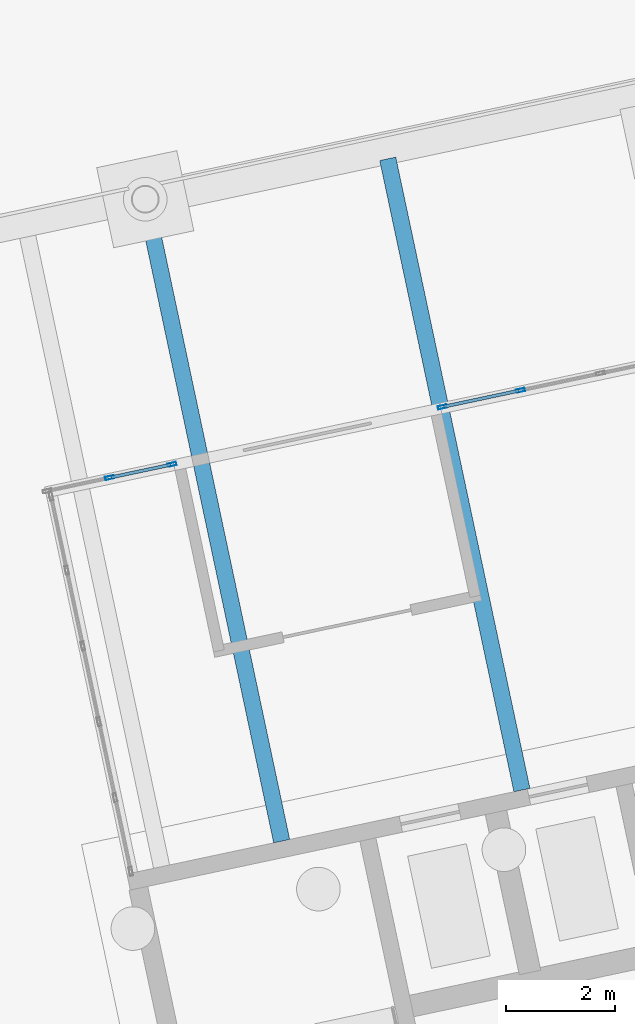
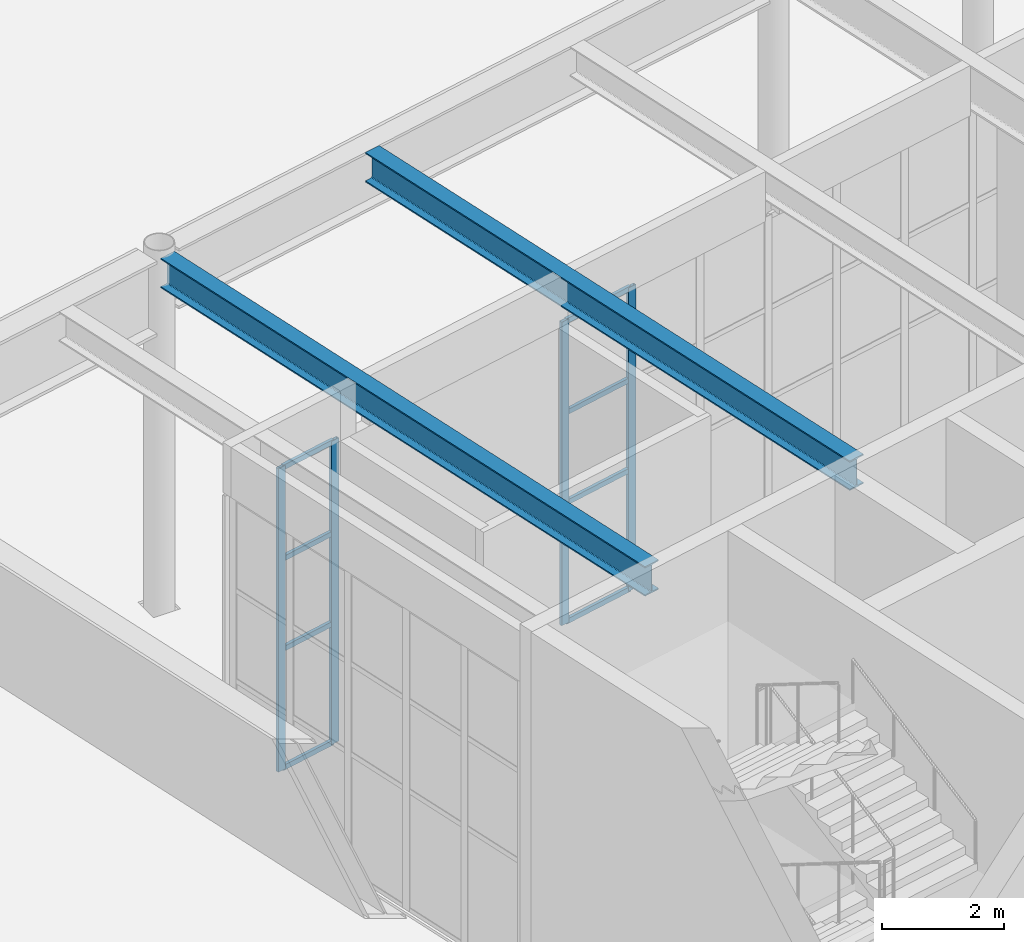
# One storey, part 54 of 239: 12 members, 2 beams, 2 elements without a shape of their own.
"""IFC4 building model written with IfcOpenShell, lengths in metres."""

from ifc_helpers import new_model, si_unit, direction, frame, origin, origin_2d, place, context, subcontext, project, spatial, hollow_rectangle, i_section, extrude, material, material_profile, profile_set, type_object, element, aggregate, save


model = new_model("IFC4")

# Units and contexts
model_context = context("Model", 3, precision=1e-05, world=origin(), true_north=direction((0.0, 1.0)))
body_context = subcontext(model_context, "Body", "Model", "MODEL_VIEW")
ifc_project = project(units=[si_unit("LENGTHUNIT", "METRE"), si_unit("AREAUNIT", "SQUARE_METRE"), si_unit("VOLUMEUNIT", "CUBIC_METRE"), si_unit("PLANEANGLEUNIT", "RADIAN"), si_unit("MASSUNIT", "GRAM", prefix="KILO")], contexts=[model_context])

# Site, building, storey
site_placement = place(None, origin())
site = spatial("IfcSite", under=ifc_project, at=site_placement, CompositionType="ELEMENT")
building_placement = place(site_placement, origin())
building = spatial("IfcBuilding", under=site, at=building_placement, Name="Okhra Congress Centre", CompositionType="ELEMENT")
storey_placement = place(building_placement, origin())
storey = spatial("IfcBuildingStorey", under=building, at=storey_placement, Name="L00", CompositionType="ELEMENT", Elevation=0.0)

# Curtain wall, members
ifc_material_1 = material(Name="Aluminium curtain wall, triple glazing", Category="aluminium")
curtain_wall_type = type_object("IfcCurtainWallType", Name="Curtain wall 1500 module", PredefinedType="NOTDEFINED", material=ifc_material_1)
curtain_wall_1_placement = place(storey_placement, origin())
curtain_wall_1 = element("IfcCurtainWall", 1, at=curtain_wall_1_placement, inside=storey, type_object=curtain_wall_type, Name="Ground curtain wall N6", PredefinedType="NOTDEFINED")
ifc_material_2 = material(Name="Aluminium alloy EN AW-6063 T66", Category="aluminium")
ifc_material_profile_1 = material_profile(ifc_material_2, hollow_rectangle(XDim=0.06005859375, YDim=0.159912109375, WallThickness=0.00390625, at=origin_2d()), Name="RHS 60x160x4")
ifc_profile_set_1 = profile_set([ifc_material_profile_1], Name="Aluminium alloy EN AW-6063 T66")
member_type_1 = type_object("IfcMemberType", Name="Curtain wall mullion 60x160", PredefinedType="MULLION", material=ifc_profile_set_1)
member_1_placement = place(storey_placement, frame((64.1708984375, 47.0537109375, 0.0), z_axis=(0.0, 0.0, 1.0), x_axis=(-0.207911690818, 0.978147600734, 0.0)))
member_1 = element("IfcMember", 2, at=member_1_placement, type_object=member_type_1, Name="CW7 mullion 2", PredefinedType="MULLION", context=body_context, shape_type="SweptSolid", body=[
    extrude(hollow_rectangle(XDim=0.06005859375, YDim=0.159912109375, WallThickness=0.00390625, at=origin_2d()), origin(), (0.0, 0.0, 1.0), 6.050048828125),
])
member_2_placement = place(storey_placement, frame((65.3154296875, 47.296875, 0.0), z_axis=(0.0, 0.0, 1.0), x_axis=(-0.207911690818, 0.978147600734, 0.0)))
member_2 = element("IfcMember", 3, at=member_2_placement, type_object=member_type_1, Name="CW7 mullion 3", PredefinedType="MULLION", context=body_context, shape_type="SweptSolid", body=[
    extrude(hollow_rectangle(XDim=0.06005859375, YDim=0.159912109375, WallThickness=0.00390625, at=origin_2d()), origin(), (0.0, 0.0, 1.0), 6.050048828125),
])

curtain_wall_2_placement = place(storey_placement, origin())
curtain_wall_2 = element("IfcCurtainWall", 4, at=curtain_wall_2_placement, inside=storey, type_object=curtain_wall_type, Name="Ground curtain wall N7", PredefinedType="NOTDEFINED")
member_3_placement = place(storey_placement, frame((70.264892578125, 48.348876953125, 0.0), z_axis=(0.0, 0.0, 1.0), x_axis=(-0.207911690818, 0.978147600734, 0.0)))
member_3 = element("IfcMember", 5, at=member_3_placement, type_object=member_type_1, Name="CW7 mullion 1", PredefinedType="MULLION", context=body_context, shape_type="SweptSolid", body=[
    extrude(hollow_rectangle(XDim=0.06005859375, YDim=0.159912109375, WallThickness=0.00390625, at=origin_2d()), origin(), (0.0, 0.0, 1.0), 6.050048828125),
])
member_4_placement = place(storey_placement, frame((71.70068359375, 48.654052734375, 0.0), z_axis=(0.0, 0.0, 1.0), x_axis=(-0.207911690818, 0.978147600734, 0.0)))
member_4 = element("IfcMember", 6, at=member_4_placement, type_object=member_type_1, Name="CW7 mullion 2", PredefinedType="MULLION", context=body_context, shape_type="SweptSolid", body=[
    extrude(hollow_rectangle(XDim=0.06005859375, YDim=0.159912109375, WallThickness=0.00390625, at=origin_2d()), origin(), (0.0, 0.0, 1.0), 6.050048828125),
])

# Member
ifc_material_profile_2 = material_profile(ifc_material_2, hollow_rectangle(XDim=0.06005859375, YDim=0.10009765625, WallThickness=0.00390625, at=origin_2d()), Name="RHS 60x100x4")
ifc_profile_set_2 = profile_set([ifc_material_profile_2], Name="Aluminium alloy EN AW-6063 T66")
member_type_2 = type_object("IfcMemberType", Name="Curtain wall transom 60x100", PredefinedType="USERDEFINED", material=ifc_profile_set_2)
member_5_placement = place(storey_placement, frame((64.200439453125, 47.059814453125, 0.030029296875), z_axis=(0.978158291891, 0.207861386516, 0.0), x_axis=(-0.207861386516, 0.978158291891, 0.0)))
member_5 = element("IfcMember", 7, at=member_5_placement, type_object=member_type_2, Name="CW7 transom 2.1", ObjectType="TRANSOM", PredefinedType="USERDEFINED", context=body_context, shape_type="SweptSolid", body=[
    extrude(hollow_rectangle(XDim=0.06005859375, YDim=0.10009765625, WallThickness=0.00390625, at=origin_2d()), origin(), (0.0, 0.0, 1.0), 1.10986328125),
])

member_6_placement = place(storey_placement, frame((64.200439453125, 47.059814453125, 2.39990234375), z_axis=(0.978158291891, 0.207861386516, 0.0), x_axis=(-0.207861386516, 0.978158291891, 0.0)))
member_6 = element("IfcMember", 8, at=member_6_placement, type_object=member_type_2, Name="CW7 transom 2.2", ObjectType="TRANSOM", PredefinedType="USERDEFINED", context=body_context, shape_type="SweptSolid", body=[
    extrude(hollow_rectangle(XDim=0.06005859375, YDim=0.10009765625, WallThickness=0.00390625, at=origin_2d()), origin(), (0.0, 0.0, 1.0), 1.10986328125),
])

member_7_placement = place(storey_placement, frame((64.200439453125, 47.059814453125, 4.199951171875), z_axis=(0.978158291891, 0.207861386516, 0.0), x_axis=(-0.207861386516, 0.978158291891, 0.0)))
member_7 = element("IfcMember", 9, at=member_7_placement, type_object=member_type_2, Name="CW7 transom 2.3", ObjectType="TRANSOM", PredefinedType="USERDEFINED", context=body_context, shape_type="SweptSolid", body=[
    extrude(hollow_rectangle(XDim=0.06005859375, YDim=0.10009765625, WallThickness=0.00390625, at=origin_2d()), origin(), (0.0, 0.0, 1.0), 1.10986328125),
])

member_8_placement = place(storey_placement, frame((64.200439453125, 47.059814453125, 6.02001953125), z_axis=(0.978158291891, 0.207861386516, 0.0), x_axis=(-0.207861386516, 0.978158291891, 0.0)))
member_8 = element("IfcMember", 10, at=member_8_placement, type_object=member_type_2, Name="CW7 transom 2.4", ObjectType="TRANSOM", PredefinedType="USERDEFINED", context=body_context, shape_type="SweptSolid", body=[
    extrude(hollow_rectangle(XDim=0.06005859375, YDim=0.10009765625, WallThickness=0.00390625, at=origin_2d()), origin(), (0.0, 0.0, 1.0), 1.10986328125),
])

aggregate(curtain_wall_1, [member_1, member_2, member_5, member_6, member_7, member_8])

member_9_placement = place(storey_placement, frame((70.294189453125, 48.355224609375, 0.030029296875), z_axis=(0.978141216674, 0.20794172319, 0.0), x_axis=(-0.20794172319, 0.978141216674, 0.0)))
member_9 = element("IfcMember", 11, at=member_9_placement, type_object=member_type_2, Name="CW7 transom 1.1", ObjectType="TRANSOM", PredefinedType="USERDEFINED", context=body_context, shape_type="SweptSolid", body=[
    extrude(hollow_rectangle(XDim=0.06005859375, YDim=0.10009765625, WallThickness=0.00390625, at=origin_2d()), origin(), (0.0, 0.0, 1.0), 1.40771484375),
])

member_10_placement = place(storey_placement, frame((70.294189453125, 48.355224609375, 2.39990234375), z_axis=(0.978141216674, 0.20794172319, 0.0), x_axis=(-0.20794172319, 0.978141216674, 0.0)))
member_10 = element("IfcMember", 12, at=member_10_placement, type_object=member_type_2, Name="CW7 transom 1.2", ObjectType="TRANSOM", PredefinedType="USERDEFINED", context=body_context, shape_type="SweptSolid", body=[
    extrude(hollow_rectangle(XDim=0.06005859375, YDim=0.10009765625, WallThickness=0.00390625, at=origin_2d()), origin(), (0.0, 0.0, 1.0), 1.40771484375),
])

member_11_placement = place(storey_placement, frame((70.294189453125, 48.355224609375, 4.199951171875), z_axis=(0.978141216674, 0.20794172319, 0.0), x_axis=(-0.20794172319, 0.978141216674, 0.0)))
member_11 = element("IfcMember", 13, at=member_11_placement, type_object=member_type_2, Name="CW7 transom 1.3", ObjectType="TRANSOM", PredefinedType="USERDEFINED", context=body_context, shape_type="SweptSolid", body=[
    extrude(hollow_rectangle(XDim=0.06005859375, YDim=0.10009765625, WallThickness=0.00390625, at=origin_2d()), origin(), (0.0, 0.0, 1.0), 1.40771484375),
])

member_12_placement = place(storey_placement, frame((70.294189453125, 48.355224609375, 6.02001953125), z_axis=(0.978141216674, 0.20794172319, 0.0), x_axis=(-0.20794172319, 0.978141216674, 0.0)))
member_12 = element("IfcMember", 14, at=member_12_placement, type_object=member_type_2, Name="CW7 transom 1.4", ObjectType="TRANSOM", PredefinedType="USERDEFINED", context=body_context, shape_type="SweptSolid", body=[
    extrude(hollow_rectangle(XDim=0.06005859375, YDim=0.10009765625, WallThickness=0.00390625, at=origin_2d()), origin(), (0.0, 0.0, 1.0), 1.40771484375),
])

aggregate(curtain_wall_2, [member_3, member_4, member_9, member_10, member_11, member_12])

# Beams
ifc_material_3 = material(Name="Steel S355J2", Category="steel")
ifc_material_profile_3 = material_profile(ifc_material_3, i_section(OverallWidth=0.300048828125, OverallDepth=0.590087890625, WebThickness=0.012939453125, FlangeThickness=0.02490234375, FilletRadius=0.027099609375, at=origin_2d()), Name="HE 600 A")
ifc_profile_set_3 = profile_set([ifc_material_profile_3], Name="Steel S355J2")
beam_type = type_object("IfcBeamType", Name="Floor beam HE 600 A", PredefinedType="BEAM", material=ifc_profile_set_3)
beam_1_placement = place(storey_placement, frame((67.324462890625, 40.393798828125, 6.7548828125), z_axis=(-0.207905918374, 0.978148827687, 0.0), x_axis=(-0.978148827687, -0.207905918374, 0.0)))
element("IfcBeam", 15, at=beam_1_placement, inside=storey, type_object=beam_type, Name="Floor beam 2.2", PredefinedType="BEAM", context=body_context, shape_type="SweptSolid", body=[
    extrude(i_section(OverallWidth=0.300048828125, OverallDepth=0.590087890625, WebThickness=0.012939453125, FlangeThickness=0.02490234375, FilletRadius=0.027099609375, at=origin_2d()), origin(), (0.0, 0.0, 1.0), 11.824951171875),
])
beam_2_placement = place(storey_placement, frame((71.726318359375, 41.329345703125, 6.7548828125), z_axis=(-0.207925671893, 0.97814462886, 0.0), x_axis=(-0.97814462886, -0.207925671893, 0.0)))
element("IfcBeam", 16, at=beam_2_placement, inside=storey, type_object=beam_type, Name="Floor beam 3.2", PredefinedType="BEAM", context=body_context, shape_type="SweptSolid", body=[
    extrude(i_section(OverallWidth=0.300048828125, OverallDepth=0.590087890625, WebThickness=0.012939453125, FlangeThickness=0.02490234375, FilletRadius=0.027099609375, at=origin_2d()), origin(), (0.0, 0.0, 1.0), 11.8251953125),
])

save(model, "model.ifc")
